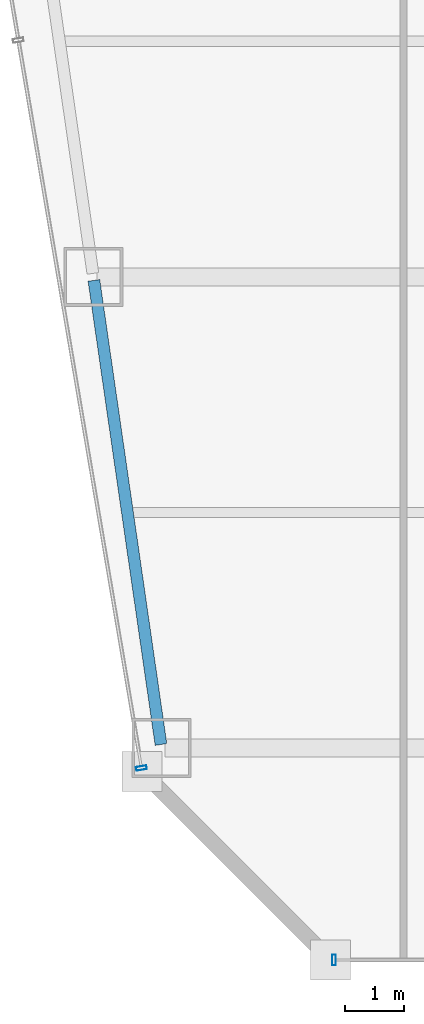
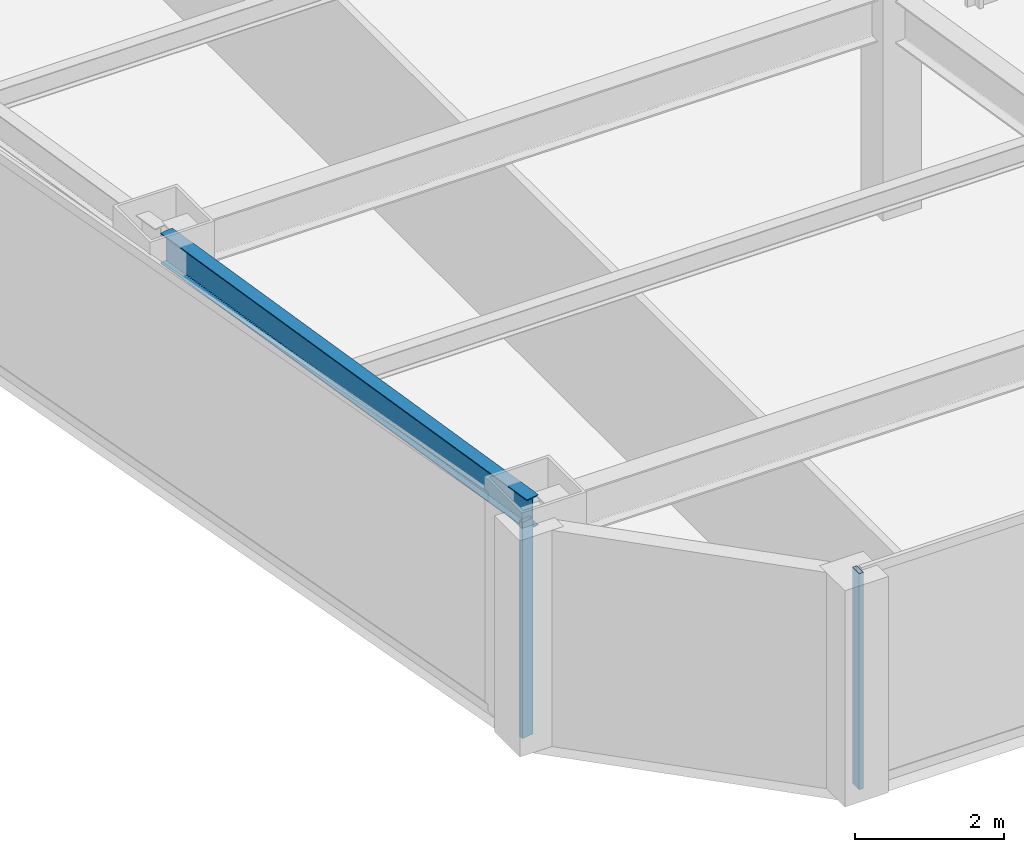
# One storey, part 2 of 36: 2 members, 1 beam, 2 elements without a shape of their own.
"""IFC4 building model written with IfcOpenShell, lengths in metres."""

from ifc_helpers import new_model, si_unit, direction, frame, origin, origin_2d, place, context, subcontext, project, spatial, hollow_rectangle, i_section, extrude, material, material_profile, profile_set, type_object, element, aggregate, save


model = new_model("IFC4")

# Units and contexts
model_context = context("Model", 3, precision=1e-05, world=origin(), true_north=direction((0.0, 1.0)))
body_context = subcontext(model_context, "Body", "Model", "MODEL_VIEW")
ifc_project = project(units=[si_unit("LENGTHUNIT", "METRE"), si_unit("AREAUNIT", "SQUARE_METRE"), si_unit("VOLUMEUNIT", "CUBIC_METRE"), si_unit("PLANEANGLEUNIT", "RADIAN"), si_unit("MASSUNIT", "GRAM", prefix="KILO")], contexts=[model_context])

# Site, building, storey
site_placement = place(None, origin())
site = spatial("IfcSite", under=ifc_project, at=site_placement, CompositionType="ELEMENT")
building_placement = place(site_placement, origin())
building = spatial("IfcBuilding", under=site, at=building_placement, Name="Saevonmaru Cultural Tower", CompositionType="ELEMENT")
storey_placement = place(building_placement, frame((0.0, 0.0, 171.39990234375)))
storey = spatial("IfcBuildingStorey", under=building, at=storey_placement, Name="L38", CompositionType="ELEMENT", Elevation=171.39990234375)

# Beam
ifc_material_1 = material(Name="Steel SM355", Category="steel")
ifc_material_profile_1 = material_profile(ifc_material_1, i_section(OverallWidth=0.199951171875, OverallDepth=0.5, WebThickness=0.010009765625, FlangeThickness=0.01611328125, FilletRadius=0.02001953125, at=origin_2d()), Name="H-500x200x10x16")
ifc_profile_set_1 = profile_set([ifc_material_profile_1], Name="Steel SM355")
beam_type = type_object("IfcBeamType", Name="BM-SP-H500", PredefinedType="SPANDREL", material=ifc_profile_set_1)
beam_placement = place(storey_placement, frame((10.619384765625, 16.059326171875, 3.300048828125), z_axis=(-0.142992129437, 0.989723825579, 0.0), x_axis=(-0.989723825579, -0.142992129437, 0.0)))
element("IfcBeam", 1, at=beam_placement, inside=storey, type_object=beam_type, Name="L38 West Splayed Spandrel 1", PredefinedType="SPANDREL", context=body_context, shape_type="SweptSolid", body=[
    extrude(i_section(OverallWidth=0.199951171875, OverallDepth=0.5, WebThickness=0.010009765625, FlangeThickness=0.01611328125, FilletRadius=0.02001953125, at=origin_2d()), origin(), (0.0, 0.0, 1.0), 7.963134765625),
])

# Curtain wall, member
ifc_material_2 = material(Name="Satin Bronze Anodised Aluminium", Category="aluminium")
curtain_wall_type = type_object("IfcCurtainWallType", Name="CW-TYP-A", PredefinedType="NOTDEFINED", material=ifc_material_2)
curtain_wall_1_placement = place(storey_placement, origin())
curtain_wall_1 = element("IfcCurtainWall", 2, at=curtain_wall_1_placement, inside=storey, type_object=curtain_wall_type, Name="L38 Unitised Curtain Wall E2", PredefinedType="NOTDEFINED")
ifc_material_profile_2 = material_profile(ifc_material_2, hollow_rectangle(XDim=0.06494140625, YDim=0.179931640625, WallThickness=0.00390625, at=origin_2d()), Name="ALU-MULL-180x65x4")
ifc_profile_set_2 = profile_set([ifc_material_profile_2], Name="Satin Bronze Anodised Aluminium")
member_type = type_object("IfcMemberType", Name="ML-CW-180x65", PredefinedType="MULLION", material=ifc_profile_set_2)
member_1_placement = place(storey_placement, frame((13.557861328125, 12.39990234375, 0.0), z_axis=(0.0, 0.0, 1.0), x_axis=(1.0, 0.0, 0.0)))
member_1 = element("IfcMember", 3, at=member_1_placement, type_object=member_type, Name="CW-TW-L38-E2 mullion 1", PredefinedType="MULLION", context=body_context, shape_type="SweptSolid", body=[
    extrude(hollow_rectangle(XDim=0.06494140625, YDim=0.179931640625, WallThickness=0.00390625, at=origin_2d()), origin(), (0.0, 0.0, 1.0), 3.550048828125),
])
aggregate(curtain_wall_1, [member_1])

curtain_wall_2_placement = place(storey_placement, origin())
curtain_wall_2 = element("IfcCurtainWall", 4, at=curtain_wall_2_placement, inside=storey, type_object=curtain_wall_type, Name="L38 Unitised Curtain Wall E12", PredefinedType="NOTDEFINED")
member_2_placement = place(storey_placement, frame((10.287841796875, 15.6591796875, 0.0), z_axis=(0.0, 0.0, 1.0), x_axis=(0.16692169721, -0.985970155228, 0.0)))
member_2 = element("IfcMember", 5, at=member_2_placement, type_object=member_type, Name="CW-TW-L38-E12 mullion 4", PredefinedType="MULLION", context=body_context, shape_type="SweptSolid", body=[
    extrude(hollow_rectangle(XDim=0.06494140625, YDim=0.179931640625, WallThickness=0.00390625, at=origin_2d()), origin(), (0.0, 0.0, 1.0), 3.550048828125),
])
aggregate(curtain_wall_2, [member_2])

save(model, "model.ifc")
